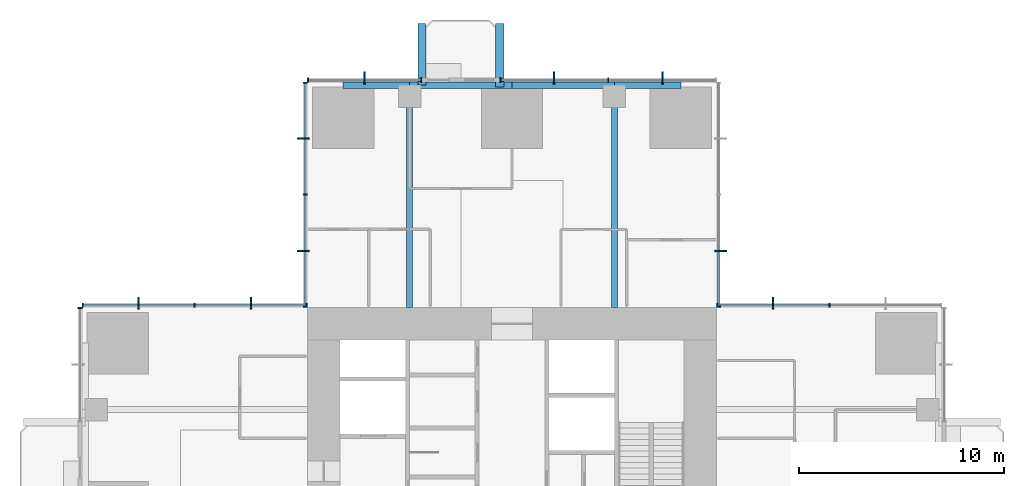
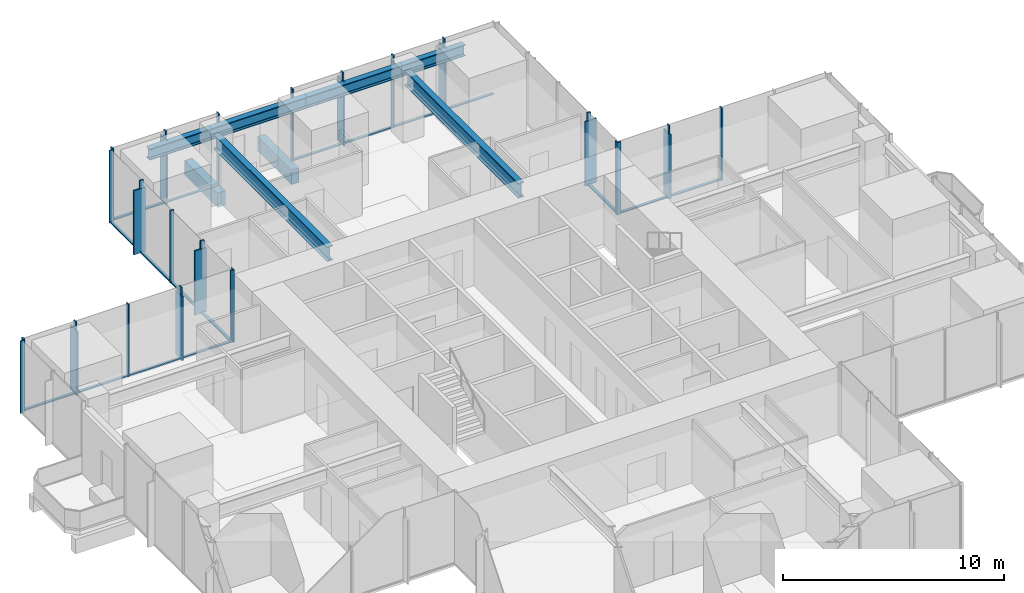
# One storey, part 5 of 13: 49 members, 8 beams, 7 elements without a shape of their own.
"""IFC4 building model written with IfcOpenShell, lengths in metres."""

from ifc_helpers import new_model, si_unit, direction, frame, origin, origin_2d, place, context, subcontext, project, spatial, rectangle, i_section, extrude, material, material_profile, profile_set, type_object, element, aggregate, save


model = new_model("IFC4")

# Units and contexts
model_context = context("Model", 3, precision=1e-05, world=origin(), true_north=direction((0.0, 1.0)))
body_context = subcontext(model_context, "Body", "Model", "MODEL_VIEW")
ifc_project = project(units=[si_unit("LENGTHUNIT", "METRE"), si_unit("AREAUNIT", "SQUARE_METRE"), si_unit("VOLUMEUNIT", "CUBIC_METRE"), si_unit("PLANEANGLEUNIT", "RADIAN"), si_unit("MASSUNIT", "GRAM", prefix="KILO")], contexts=[model_context])

# Site, building, storey
site_placement = place(None, origin())
site = spatial("IfcSite", under=ifc_project, at=site_placement, CompositionType="ELEMENT")
building_placement = place(site_placement, origin())
building = spatial("IfcBuilding", under=site, at=building_placement, Name="Svetlomir Tower", CompositionType="ELEMENT")
storey_placement = place(building_placement, frame((0.0, 0.0, 156.5)))
storey = spatial("IfcBuildingStorey", under=building, at=storey_placement, Name="L37", CompositionType="ELEMENT", Elevation=156.5)

# Beams
ifc_material_1 = material(Name="Concrete C60/75", Category="concrete")
ifc_material_profile_1 = material_profile(ifc_material_1, rectangle(XDim=0.39990234375, YDim=0.800048828125, at=origin_2d()), Name="RC 400x800")
ifc_profile_set_1 = profile_set([ifc_material_profile_1], Name="Concrete C60/75")
beam_type_1 = type_object("IfcBeamType", Name="BALCONY RIB RC 400x800", PredefinedType="BEAM", material=ifc_profile_set_1)
beam_1_placement = place(storey_placement, frame((16.60009765625, 41.85009765625, -0.64990234375), z_axis=(0.0, 1.0, 0.0), x_axis=(-1.0, 0.0, 0.0)))
element("IfcBeam", 1, at=beam_1_placement, inside=storey, type_object=beam_type_1, Name="Balcony rib N 1 L37", PredefinedType="BEAM", context=body_context, shape_type="SweptSolid", body=[
    extrude(rectangle(XDim=0.39990234375, YDim=0.800048828125, at=origin_2d()), origin(), (0.0, 0.0, 1.0), 3.0),
])
beam_2_placement = place(storey_placement, frame((20.39990234375, 41.75, -0.64990234375), z_axis=(0.0, 1.0, 0.0), x_axis=(-1.0, 0.0, 0.0)))
element("IfcBeam", 2, at=beam_2_placement, inside=storey, type_object=beam_type_1, Name="Balcony rib N 2 L37", PredefinedType="BEAM", context=body_context, shape_type="SweptSolid", body=[
    extrude(rectangle(XDim=0.39990234375, YDim=0.800048828125, at=origin_2d()), origin(), (0.0, 0.0, 1.0), 3.10009765625),
])

# Curtain wall, member
ifc_material_2 = material(Name="Bronze anodised aluminium curtain wall", Category="aluminium")
curtain_wall_type = type_object("IfcCurtainWallType", Name="CURTAIN WALL CW1 TOWER OFFICE", PredefinedType="NOTDEFINED", material=ifc_material_2)
curtain_wall_1_placement = place(storey_placement, origin())
curtain_wall_1 = element("IfcCurtainWall", 3, at=curtain_wall_1_placement, inside=storey, type_object=curtain_wall_type, Name="Curtain wall CW1 L37", PredefinedType="NOTDEFINED")
ifc_material_3 = material(Name="Bronze anodised aluminium", Category="aluminium")
ifc_material_profile_2 = material_profile(ifc_material_3, rectangle(XDim=0.080078125, YDim=0.60009765625, at=origin_2d()), Name="FIN 80x600")
ifc_profile_set_2 = profile_set([ifc_material_profile_2], Name="Bronze anodised aluminium 6063-T6")
member_type_1 = type_object("IfcMemberType", Name="BRONZE FIN 80x600", PredefinedType="USERDEFINED", material=ifc_profile_set_2)
member_1_placement = place(storey_placement, frame((33.75, 31.199951171875, 0.0), z_axis=(0.0, 0.0, 1.0), x_axis=(1.0, 0.0, 0.0)))
member_1 = element("IfcMember", 4, at=member_1_placement, type_object=member_type_1, Name="Bronze fin L37", ObjectType="FIN", PredefinedType="USERDEFINED", context=body_context, shape_type="SweptSolid", body=[
    extrude(rectangle(XDim=0.080078125, YDim=0.60009765625, at=origin_2d()), origin(), (0.0, 0.0, 1.0), 3.550048828125),
])

curtain_wall_2_placement = place(storey_placement, origin())
curtain_wall_2 = element("IfcCurtainWall", 5, at=curtain_wall_2_placement, inside=storey, type_object=curtain_wall_type, Name="Curtain wall CW1 L37", PredefinedType="NOTDEFINED")
member_2_placement = place(storey_placement, frame((31.199951171875, 33.75, 0.0), z_axis=(0.0, 0.0, 1.0), x_axis=(0.0, 1.0, 0.0)))
member_2 = element("IfcMember", 6, at=member_2_placement, type_object=member_type_1, Name="Bronze fin L37", ObjectType="FIN", PredefinedType="USERDEFINED", context=body_context, shape_type="SweptSolid", body=[
    extrude(rectangle(XDim=0.080078125, YDim=0.60009765625, at=origin_2d()), origin(), (0.0, 0.0, 1.0), 3.550048828125),
])

# Curtain wall, members
curtain_wall_3_placement = place(storey_placement, origin())
curtain_wall_3 = element("IfcCurtainWall", 7, at=curtain_wall_3_placement, inside=storey, type_object=curtain_wall_type, Name="Curtain wall CW1 L37", PredefinedType="NOTDEFINED")
member_3_placement = place(storey_placement, frame((28.35009765625, 42.199951171875, 0.0), z_axis=(0.0, 0.0, 1.0), x_axis=(1.0, 0.0, 0.0)))
member_3 = element("IfcMember", 8, at=member_3_placement, type_object=member_type_1, Name="Bronze fin L37", ObjectType="FIN", PredefinedType="USERDEFINED", context=body_context, shape_type="SweptSolid", body=[
    extrude(rectangle(XDim=0.080078125, YDim=0.60009765625, at=origin_2d()), origin(), (0.0, 0.0, 1.0), 3.550048828125),
])
member_4_placement = place(storey_placement, frame((23.050048828125, 42.199951171875, 0.0), z_axis=(0.0, 0.0, 1.0), x_axis=(1.0, 0.0, 0.0)))
member_4 = element("IfcMember", 9, at=member_4_placement, type_object=member_type_1, Name="Bronze fin L37", ObjectType="FIN", PredefinedType="USERDEFINED", context=body_context, shape_type="SweptSolid", body=[
    extrude(rectangle(XDim=0.080078125, YDim=0.60009765625, at=origin_2d()), origin(), (0.0, 0.0, 1.0), 3.550048828125),
])

# Curtain wall, member
curtain_wall_4_placement = place(storey_placement, origin())
curtain_wall_4 = element("IfcCurtainWall", 10, at=curtain_wall_4_placement, inside=storey, type_object=curtain_wall_type, Name="Curtain wall CW1 L37", PredefinedType="NOTDEFINED")
member_5_placement = place(storey_placement, frame((13.800048828125, 42.199951171875, 0.0), z_axis=(0.0, 0.0, 1.0), x_axis=(1.0, 0.0, 0.0)))
member_5 = element("IfcMember", 11, at=member_5_placement, type_object=member_type_1, Name="Bronze fin L37", ObjectType="FIN", PredefinedType="USERDEFINED", context=body_context, shape_type="SweptSolid", body=[
    extrude(rectangle(XDim=0.080078125, YDim=0.60009765625, at=origin_2d()), origin(), (0.0, 0.0, 1.0), 3.550048828125),
])

# Curtain wall, members
curtain_wall_5_placement = place(storey_placement, origin())
curtain_wall_5 = element("IfcCurtainWall", 12, at=curtain_wall_5_placement, inside=storey, type_object=curtain_wall_type, Name="Curtain wall CW1 L37", PredefinedType="NOTDEFINED")
member_6_placement = place(storey_placement, frame((10.800048828125, 39.25, 0.0), z_axis=(0.0, 0.0, 1.0), x_axis=(0.0, 1.0, 0.0)))
member_6 = element("IfcMember", 13, at=member_6_placement, type_object=member_type_1, Name="Bronze fin L37", ObjectType="FIN", PredefinedType="USERDEFINED", context=body_context, shape_type="SweptSolid", body=[
    extrude(rectangle(XDim=0.080078125, YDim=0.60009765625, at=origin_2d()), origin(), (0.0, 0.0, 1.0), 3.550048828125),
])
member_7_placement = place(storey_placement, frame((10.800048828125, 33.75, 0.0), z_axis=(0.0, 0.0, 1.0), x_axis=(0.0, 1.0, 0.0)))
member_7 = element("IfcMember", 14, at=member_7_placement, type_object=member_type_1, Name="Bronze fin L37", ObjectType="FIN", PredefinedType="USERDEFINED", context=body_context, shape_type="SweptSolid", body=[
    extrude(rectangle(XDim=0.080078125, YDim=0.60009765625, at=origin_2d()), origin(), (0.0, 0.0, 1.0), 3.550048828125),
])

curtain_wall_6_placement = place(storey_placement, origin())
curtain_wall_6 = element("IfcCurtainWall", 15, at=curtain_wall_6_placement, inside=storey, type_object=curtain_wall_type, Name="Curtain wall CW1 L37", PredefinedType="NOTDEFINED")
member_8_placement = place(storey_placement, frame((8.25, 31.199951171875, 0.0), z_axis=(0.0, 0.0, 1.0), x_axis=(1.0, 0.0, 0.0)))
member_8 = element("IfcMember", 16, at=member_8_placement, type_object=member_type_1, Name="Bronze fin L37", ObjectType="FIN", PredefinedType="USERDEFINED", context=body_context, shape_type="SweptSolid", body=[
    extrude(rectangle(XDim=0.080078125, YDim=0.60009765625, at=origin_2d()), origin(), (0.0, 0.0, 1.0), 3.550048828125),
])
member_9_placement = place(storey_placement, frame((2.75, 31.199951171875, 0.0), z_axis=(0.0, 0.0, 1.0), x_axis=(1.0, 0.0, 0.0)))
member_9 = element("IfcMember", 17, at=member_9_placement, type_object=member_type_1, Name="Bronze fin L37", ObjectType="FIN", PredefinedType="USERDEFINED", context=body_context, shape_type="SweptSolid", body=[
    extrude(rectangle(XDim=0.080078125, YDim=0.60009765625, at=origin_2d()), origin(), (0.0, 0.0, 1.0), 3.550048828125),
])

# Member
ifc_material_4 = material(Name="Bronze anodised aluminium", Category="aluminium")
ifc_material_profile_3 = material_profile(ifc_material_4, rectangle(XDim=0.06494140625, YDim=0.199951171875, at=origin_2d()), Name="AL 65x200")
ifc_profile_set_3 = profile_set([ifc_material_profile_3], Name="Bronze anodised aluminium 6063-T6")
member_type_2 = type_object("IfcMemberType", Name="CW1 MULLION 65x200", PredefinedType="MULLION", material=ifc_profile_set_3)
member_10_placement = place(storey_placement, frame((36.5, 31.10009765625, 0.0), z_axis=(0.0, 0.0, 1.0), x_axis=(-1.0, 0.0, 0.0)))
member_10 = element("IfcMember", 18, at=member_10_placement, type_object=member_type_2, Name="CW1 mullion 3", PredefinedType="MULLION", context=body_context, shape_type="SweptSolid", body=[
    extrude(rectangle(XDim=0.06494140625, YDim=0.199951171875, at=origin_2d()), origin(), (0.0, 0.0, 1.0), 4.0),
])

member_11_placement = place(storey_placement, frame((33.75, 31.10009765625, 0.0), z_axis=(0.0, 0.0, 1.0), x_axis=(-1.0, 0.0, 0.0)))
member_11 = element("IfcMember", 19, at=member_11_placement, type_object=member_type_2, Name="CW1 mullion 4", PredefinedType="MULLION", context=body_context, shape_type="SweptSolid", body=[
    extrude(rectangle(XDim=0.06494140625, YDim=0.199951171875, at=origin_2d()), origin(), (0.0, 0.0, 1.0), 4.0),
])

member_12_placement = place(storey_placement, frame((31.032470703125, 31.10009765625, 0.0), z_axis=(0.0, 0.0, 1.0), x_axis=(-1.0, 0.0, 0.0)))
member_12 = element("IfcMember", 20, at=member_12_placement, type_object=member_type_2, Name="CW1 mullion 5", PredefinedType="MULLION", context=body_context, shape_type="SweptSolid", body=[
    extrude(rectangle(XDim=0.06494140625, YDim=0.199951171875, at=origin_2d()), origin(), (0.0, 0.0, 1.0), 4.0),
])

member_13_placement = place(storey_placement, frame((31.10009765625, 31.032470703125, 0.0), z_axis=(0.0, 0.0, 1.0), x_axis=(0.0, 1.0, 0.0)))
member_13 = element("IfcMember", 21, at=member_13_placement, type_object=member_type_2, Name="CW1 mullion 1", PredefinedType="MULLION", context=body_context, shape_type="SweptSolid", body=[
    extrude(rectangle(XDim=0.06494140625, YDim=0.199951171875, at=origin_2d()), origin(), (0.0, 0.0, 1.0), 4.0),
])

member_14_placement = place(storey_placement, frame((31.10009765625, 33.75, 0.0), z_axis=(0.0, 0.0, 1.0), x_axis=(0.0, 1.0, 0.0)))
member_14 = element("IfcMember", 22, at=member_14_placement, type_object=member_type_2, Name="CW1 mullion 2", PredefinedType="MULLION", context=body_context, shape_type="SweptSolid", body=[
    extrude(rectangle(XDim=0.06494140625, YDim=0.199951171875, at=origin_2d()), origin(), (0.0, 0.0, 1.0), 4.0),
])

member_15_placement = place(storey_placement, frame((28.35009765625, 42.10009765625, 0.0), z_axis=(0.0, 0.0, 1.0), x_axis=(-1.0, 0.0, 0.0)))
member_15 = element("IfcMember", 23, at=member_15_placement, type_object=member_type_2, Name="CW1 mullion 2", PredefinedType="MULLION", context=body_context, shape_type="SweptSolid", body=[
    extrude(rectangle(XDim=0.06494140625, YDim=0.199951171875, at=origin_2d()), origin(), (0.0, 0.0, 1.0), 4.0),
])

member_16_placement = place(storey_placement, frame((25.699951171875, 42.10009765625, 0.0), z_axis=(0.0, 0.0, 1.0), x_axis=(-1.0, 0.0, 0.0)))
member_16 = element("IfcMember", 24, at=member_16_placement, type_object=member_type_2, Name="CW1 mullion 3", PredefinedType="MULLION", context=body_context, shape_type="SweptSolid", body=[
    extrude(rectangle(XDim=0.06494140625, YDim=0.199951171875, at=origin_2d()), origin(), (0.0, 0.0, 1.0), 4.0),
])

member_17_placement = place(storey_placement, frame((23.050048828125, 42.10009765625, 0.0), z_axis=(0.0, 0.0, 1.0), x_axis=(-1.0, 0.0, 0.0)))
member_17 = element("IfcMember", 25, at=member_17_placement, type_object=member_type_2, Name="CW1 mullion 4", PredefinedType="MULLION", context=body_context, shape_type="SweptSolid", body=[
    extrude(rectangle(XDim=0.06494140625, YDim=0.199951171875, at=origin_2d()), origin(), (0.0, 0.0, 1.0), 4.0),
])

member_18_placement = place(storey_placement, frame((20.4326171875, 42.10009765625, 0.0), z_axis=(0.0, 0.0, 1.0), x_axis=(-1.0, 0.0, 0.0)))
member_18 = element("IfcMember", 26, at=member_18_placement, type_object=member_type_2, Name="CW1 mullion 5", PredefinedType="MULLION", context=body_context, shape_type="SweptSolid", body=[
    extrude(rectangle(XDim=0.06494140625, YDim=0.199951171875, at=origin_2d()), origin(), (0.0, 0.0, 1.0), 4.0),
])

member_19_placement = place(storey_placement, frame((16.5673828125, 42.10009765625, 0.0), z_axis=(0.0, 0.0, 1.0), x_axis=(-1.0, 0.0, 0.0)))
member_19 = element("IfcMember", 27, at=member_19_placement, type_object=member_type_2, Name="CW1 mullion 1", PredefinedType="MULLION", context=body_context, shape_type="SweptSolid", body=[
    extrude(rectangle(XDim=0.06494140625, YDim=0.199951171875, at=origin_2d()), origin(), (0.0, 0.0, 1.0), 4.0),
])

member_20_placement = place(storey_placement, frame((13.800048828125, 42.10009765625, 0.0), z_axis=(0.0, 0.0, 1.0), x_axis=(-1.0, 0.0, 0.0)))
member_20 = element("IfcMember", 28, at=member_20_placement, type_object=member_type_2, Name="CW1 mullion 2", PredefinedType="MULLION", context=body_context, shape_type="SweptSolid", body=[
    extrude(rectangle(XDim=0.06494140625, YDim=0.199951171875, at=origin_2d()), origin(), (0.0, 0.0, 1.0), 4.0),
])

member_21_placement = place(storey_placement, frame((11.032470703125, 42.10009765625, 0.0), z_axis=(0.0, 0.0, 1.0), x_axis=(-1.0, 0.0, 0.0)))
member_21 = element("IfcMember", 29, at=member_21_placement, type_object=member_type_2, Name="CW1 mullion 3", PredefinedType="MULLION", context=body_context, shape_type="SweptSolid", body=[
    extrude(rectangle(XDim=0.06494140625, YDim=0.199951171875, at=origin_2d()), origin(), (0.0, 0.0, 1.0), 4.0),
])

member_22_placement = place(storey_placement, frame((10.89990234375, 41.967529296875, 0.0), z_axis=(0.0, 0.0, 1.0), x_axis=(0.0, -1.0, 0.0)))
member_22 = element("IfcMember", 30, at=member_22_placement, type_object=member_type_2, Name="CW1 mullion 1", PredefinedType="MULLION", context=body_context, shape_type="SweptSolid", body=[
    extrude(rectangle(XDim=0.06494140625, YDim=0.199951171875, at=origin_2d()), origin(), (0.0, 0.0, 1.0), 4.0),
])

member_23_placement = place(storey_placement, frame((10.89990234375, 39.25, 0.0), z_axis=(0.0, 0.0, 1.0), x_axis=(0.0, -1.0, 0.0)))
member_23 = element("IfcMember", 31, at=member_23_placement, type_object=member_type_2, Name="CW1 mullion 2", PredefinedType="MULLION", context=body_context, shape_type="SweptSolid", body=[
    extrude(rectangle(XDim=0.06494140625, YDim=0.199951171875, at=origin_2d()), origin(), (0.0, 0.0, 1.0), 4.0),
])

member_24_placement = place(storey_placement, frame((10.89990234375, 36.5, 0.0), z_axis=(0.0, 0.0, 1.0), x_axis=(0.0, -1.0, 0.0)))
member_24 = element("IfcMember", 32, at=member_24_placement, type_object=member_type_2, Name="CW1 mullion 3", PredefinedType="MULLION", context=body_context, shape_type="SweptSolid", body=[
    extrude(rectangle(XDim=0.06494140625, YDim=0.199951171875, at=origin_2d()), origin(), (0.0, 0.0, 1.0), 4.0),
])

member_25_placement = place(storey_placement, frame((10.89990234375, 33.75, 0.0), z_axis=(0.0, 0.0, 1.0), x_axis=(0.0, -1.0, 0.0)))
member_25 = element("IfcMember", 33, at=member_25_placement, type_object=member_type_2, Name="CW1 mullion 4", PredefinedType="MULLION", context=body_context, shape_type="SweptSolid", body=[
    extrude(rectangle(XDim=0.06494140625, YDim=0.199951171875, at=origin_2d()), origin(), (0.0, 0.0, 1.0), 4.0),
])

member_26_placement = place(storey_placement, frame((10.89990234375, 31.032470703125, 0.0), z_axis=(0.0, 0.0, 1.0), x_axis=(0.0, -1.0, 0.0)))
member_26 = element("IfcMember", 34, at=member_26_placement, type_object=member_type_2, Name="CW1 mullion 5", PredefinedType="MULLION", context=body_context, shape_type="SweptSolid", body=[
    extrude(rectangle(XDim=0.06494140625, YDim=0.199951171875, at=origin_2d()), origin(), (0.0, 0.0, 1.0), 4.0),
])

member_27_placement = place(storey_placement, frame((10.967529296875, 31.10009765625, 0.0), z_axis=(0.0, 0.0, 1.0), x_axis=(-1.0, 0.0, 0.0)))
member_27 = element("IfcMember", 35, at=member_27_placement, type_object=member_type_2, Name="CW1 mullion 1", PredefinedType="MULLION", context=body_context, shape_type="SweptSolid", body=[
    extrude(rectangle(XDim=0.06494140625, YDim=0.199951171875, at=origin_2d()), origin(), (0.0, 0.0, 1.0), 4.0),
])

member_28_placement = place(storey_placement, frame((8.25, 31.10009765625, 0.0), z_axis=(0.0, 0.0, 1.0), x_axis=(-1.0, 0.0, 0.0)))
member_28 = element("IfcMember", 36, at=member_28_placement, type_object=member_type_2, Name="CW1 mullion 2", PredefinedType="MULLION", context=body_context, shape_type="SweptSolid", body=[
    extrude(rectangle(XDim=0.06494140625, YDim=0.199951171875, at=origin_2d()), origin(), (0.0, 0.0, 1.0), 4.0),
])

member_29_placement = place(storey_placement, frame((5.5, 31.10009765625, 0.0), z_axis=(0.0, 0.0, 1.0), x_axis=(-1.0, 0.0, 0.0)))
member_29 = element("IfcMember", 37, at=member_29_placement, type_object=member_type_2, Name="CW1 mullion 3", PredefinedType="MULLION", context=body_context, shape_type="SweptSolid", body=[
    extrude(rectangle(XDim=0.06494140625, YDim=0.199951171875, at=origin_2d()), origin(), (0.0, 0.0, 1.0), 4.0),
])

member_30_placement = place(storey_placement, frame((2.75, 31.10009765625, 0.0), z_axis=(0.0, 0.0, 1.0), x_axis=(-1.0, 0.0, 0.0)))
member_30 = element("IfcMember", 38, at=member_30_placement, type_object=member_type_2, Name="CW1 mullion 4", PredefinedType="MULLION", context=body_context, shape_type="SweptSolid", body=[
    extrude(rectangle(XDim=0.06494140625, YDim=0.199951171875, at=origin_2d()), origin(), (0.0, 0.0, 1.0), 4.0),
])

member_31_placement = place(storey_placement, frame((0.032470703125, 31.10009765625, 0.0), z_axis=(0.0, 0.0, 1.0), x_axis=(-1.0, 0.0, 0.0)))
member_31 = element("IfcMember", 39, at=member_31_placement, type_object=member_type_2, Name="CW1 mullion 5", PredefinedType="MULLION", context=body_context, shape_type="SweptSolid", body=[
    extrude(rectangle(XDim=0.06494140625, YDim=0.199951171875, at=origin_2d()), origin(), (0.0, 0.0, 1.0), 4.0),
])

# Curtain wall, member
curtain_wall_7_placement = place(storey_placement, origin())
curtain_wall_7 = element("IfcCurtainWall", 40, at=curtain_wall_7_placement, inside=storey, type_object=curtain_wall_type, Name="Curtain wall CW1 L37", PredefinedType="NOTDEFINED")
member_32_placement = place(storey_placement, frame((-0.10009765625, 30.967529296875, 0.0), z_axis=(0.0, 0.0, 1.0), x_axis=(0.0, -1.0, 0.0)))
member_32 = element("IfcMember", 41, at=member_32_placement, type_object=member_type_2, Name="CW1 mullion 1", PredefinedType="MULLION", context=body_context, shape_type="SweptSolid", body=[
    extrude(rectangle(XDim=0.06494140625, YDim=0.199951171875, at=origin_2d()), origin(), (0.0, 0.0, 1.0), 4.0),
])
aggregate(curtain_wall_7, [member_32])

# Member
ifc_material_5 = material(Name="Bronze anodised aluminium", Category="aluminium")
ifc_material_profile_4 = material_profile(ifc_material_5, rectangle(XDim=0.139892578125, YDim=0.06494140625, at=origin_2d()), Name="AL 140x65")
ifc_profile_set_4 = profile_set([ifc_material_profile_4], Name="Bronze anodised aluminium 6063-T6")
member_type_3 = type_object("IfcMemberType", Name="CW1 TRANSOM 65x140", PredefinedType="USERDEFINED", material=ifc_profile_set_4)
member_33_placement = place(storey_placement, frame((36.467529296875, 31.10009765625, 0.032470703125), z_axis=(-1.0, 0.0, 0.0), x_axis=(0.0, -1.0, 0.0)))
member_33 = element("IfcMember", 42, at=member_33_placement, type_object=member_type_3, Name="CW1 transom 3.1", ObjectType="TRANSOM", PredefinedType="USERDEFINED", context=body_context, shape_type="SweptSolid", body=[
    extrude(rectangle(XDim=0.139892578125, YDim=0.06494140625, at=origin_2d()), origin(), (0.0, 0.0, 1.0), 2.68505859375),
])

member_34_placement = place(storey_placement, frame((33.717529296875, 31.10009765625, 0.032470703125), z_axis=(-1.0, 0.0, 0.0), x_axis=(0.0, -1.0, 0.0)))
member_34 = element("IfcMember", 43, at=member_34_placement, type_object=member_type_3, Name="CW1 transom 4.1", ObjectType="TRANSOM", PredefinedType="USERDEFINED", context=body_context, shape_type="SweptSolid", body=[
    extrude(rectangle(XDim=0.139892578125, YDim=0.06494140625, at=origin_2d()), origin(), (0.0, 0.0, 1.0), 2.652587890625),
])

aggregate(curtain_wall_1, [member_10, member_11, member_12, member_33, member_34, member_1])

member_35_placement = place(storey_placement, frame((31.10009765625, 31.06494140625, 0.032470703125), z_axis=(0.0, 1.0, 0.0), x_axis=(-1.0, 0.0, 0.0)))
member_35 = element("IfcMember", 44, at=member_35_placement, type_object=member_type_3, Name="CW1 transom 1.1", ObjectType="TRANSOM", PredefinedType="USERDEFINED", context=body_context, shape_type="SweptSolid", body=[
    extrude(rectangle(XDim=0.139892578125, YDim=0.06494140625, at=origin_2d()), origin(), (0.0, 0.0, 1.0), 2.652587890625),
])

aggregate(curtain_wall_2, [member_13, member_14, member_35, member_2])

member_36_placement = place(storey_placement, frame((30.93505859375, 42.10009765625, 0.032470703125), z_axis=(-1.0, 0.0, 0.0), x_axis=(0.0, -1.0, 0.0)))
member_36 = element("IfcMember", 45, at=member_36_placement, type_object=member_type_3, Name="CW1 transom 1.1", ObjectType="TRANSOM", PredefinedType="USERDEFINED", context=body_context, shape_type="SweptSolid", body=[
    extrude(rectangle(XDim=0.139892578125, YDim=0.06494140625, at=origin_2d()), origin(), (0.0, 0.0, 1.0), 2.552490234375),
])

member_37_placement = place(storey_placement, frame((28.3173828125, 42.10009765625, 0.032470703125), z_axis=(-1.0, 0.0, 0.0), x_axis=(0.0, -1.0, 0.0)))
member_37 = element("IfcMember", 46, at=member_37_placement, type_object=member_type_3, Name="CW1 transom 2.1", ObjectType="TRANSOM", PredefinedType="USERDEFINED", context=body_context, shape_type="SweptSolid", body=[
    extrude(rectangle(XDim=0.139892578125, YDim=0.06494140625, at=origin_2d()), origin(), (0.0, 0.0, 1.0), 2.5849609375),
])

member_38_placement = place(storey_placement, frame((25.66748046875, 42.10009765625, 0.032470703125), z_axis=(-1.0, 0.0, 0.0), x_axis=(0.0, -1.0, 0.0)))
member_38 = element("IfcMember", 47, at=member_38_placement, type_object=member_type_3, Name="CW1 transom 3.1", ObjectType="TRANSOM", PredefinedType="USERDEFINED", context=body_context, shape_type="SweptSolid", body=[
    extrude(rectangle(XDim=0.139892578125, YDim=0.06494140625, at=origin_2d()), origin(), (0.0, 0.0, 1.0), 2.5849609375),
])

member_39_placement = place(storey_placement, frame((23.017578125, 42.10009765625, 0.032470703125), z_axis=(-1.0, 0.0, 0.0), x_axis=(0.0, -1.0, 0.0)))
member_39 = element("IfcMember", 48, at=member_39_placement, type_object=member_type_3, Name="CW1 transom 4.1", ObjectType="TRANSOM", PredefinedType="USERDEFINED", context=body_context, shape_type="SweptSolid", body=[
    extrude(rectangle(XDim=0.139892578125, YDim=0.06494140625, at=origin_2d()), origin(), (0.0, 0.0, 1.0), 2.552490234375),
])

aggregate(curtain_wall_3, [member_15, member_16, member_17, member_18, member_36, member_37, member_38, member_39, member_3, member_4])

member_40_placement = place(storey_placement, frame((16.534912109375, 42.10009765625, 0.032470703125), z_axis=(-1.0, 0.0, 0.0), x_axis=(0.0, -1.0, 0.0)))
member_40 = element("IfcMember", 49, at=member_40_placement, type_object=member_type_3, Name="CW1 transom 1.1", ObjectType="TRANSOM", PredefinedType="USERDEFINED", context=body_context, shape_type="SweptSolid", body=[
    extrude(rectangle(XDim=0.139892578125, YDim=0.06494140625, at=origin_2d()), origin(), (0.0, 0.0, 1.0), 2.702392578125),
])

member_41_placement = place(storey_placement, frame((13.767578125, 42.10009765625, 0.032470703125), z_axis=(-1.0, 0.0, 0.0), x_axis=(0.0, -1.0, 0.0)))
member_41 = element("IfcMember", 50, at=member_41_placement, type_object=member_type_3, Name="CW1 transom 2.1", ObjectType="TRANSOM", PredefinedType="USERDEFINED", context=body_context, shape_type="SweptSolid", body=[
    extrude(rectangle(XDim=0.139892578125, YDim=0.06494140625, at=origin_2d()), origin(), (0.0, 0.0, 1.0), 2.70263671875),
])

aggregate(curtain_wall_4, [member_19, member_20, member_21, member_40, member_41, member_5])

member_42_placement = place(storey_placement, frame((10.89990234375, 41.93505859375, 0.032470703125), z_axis=(0.0, -1.0, 0.0), x_axis=(1.0, 0.0, 0.0)))
member_42 = element("IfcMember", 51, at=member_42_placement, type_object=member_type_3, Name="CW1 transom 1.1", ObjectType="TRANSOM", PredefinedType="USERDEFINED", context=body_context, shape_type="SweptSolid", body=[
    extrude(rectangle(XDim=0.139892578125, YDim=0.06494140625, at=origin_2d()), origin(), (0.0, 0.0, 1.0), 2.652587890625),
])

member_43_placement = place(storey_placement, frame((10.89990234375, 39.217529296875, 0.032470703125), z_axis=(0.0, -1.0, 0.0), x_axis=(1.0, 0.0, 0.0)))
member_43 = element("IfcMember", 52, at=member_43_placement, type_object=member_type_3, Name="CW1 transom 2.1", ObjectType="TRANSOM", PredefinedType="USERDEFINED", context=body_context, shape_type="SweptSolid", body=[
    extrude(rectangle(XDim=0.139892578125, YDim=0.06494140625, at=origin_2d()), origin(), (0.0, 0.0, 1.0), 2.68505859375),
])

member_44_placement = place(storey_placement, frame((10.89990234375, 36.467529296875, 0.032470703125), z_axis=(0.0, -1.0, 0.0), x_axis=(1.0, 0.0, 0.0)))
member_44 = element("IfcMember", 53, at=member_44_placement, type_object=member_type_3, Name="CW1 transom 3.1", ObjectType="TRANSOM", PredefinedType="USERDEFINED", context=body_context, shape_type="SweptSolid", body=[
    extrude(rectangle(XDim=0.139892578125, YDim=0.06494140625, at=origin_2d()), origin(), (0.0, 0.0, 1.0), 2.68505859375),
])

member_45_placement = place(storey_placement, frame((10.89990234375, 33.717529296875, 0.032470703125), z_axis=(0.0, -1.0, 0.0), x_axis=(1.0, 0.0, 0.0)))
member_45 = element("IfcMember", 54, at=member_45_placement, type_object=member_type_3, Name="CW1 transom 4.1", ObjectType="TRANSOM", PredefinedType="USERDEFINED", context=body_context, shape_type="SweptSolid", body=[
    extrude(rectangle(XDim=0.139892578125, YDim=0.06494140625, at=origin_2d()), origin(), (0.0, 0.0, 1.0), 2.652587890625),
])

aggregate(curtain_wall_5, [member_22, member_23, member_24, member_25, member_26, member_42, member_43, member_44, member_45, member_6, member_7])

member_46_placement = place(storey_placement, frame((10.93505859375, 31.10009765625, 0.032470703125), z_axis=(-1.0, 0.0, 0.0), x_axis=(0.0, -1.0, 0.0)))
member_46 = element("IfcMember", 55, at=member_46_placement, type_object=member_type_3, Name="CW1 transom 1.1", ObjectType="TRANSOM", PredefinedType="USERDEFINED", context=body_context, shape_type="SweptSolid", body=[
    extrude(rectangle(XDim=0.139892578125, YDim=0.06494140625, at=origin_2d()), origin(), (0.0, 0.0, 1.0), 2.652587890625),
])

member_47_placement = place(storey_placement, frame((8.217529296875, 31.10009765625, 0.032470703125), z_axis=(-1.0, 0.0, 0.0), x_axis=(0.0, -1.0, 0.0)))
member_47 = element("IfcMember", 56, at=member_47_placement, type_object=member_type_3, Name="CW1 transom 2.1", ObjectType="TRANSOM", PredefinedType="USERDEFINED", context=body_context, shape_type="SweptSolid", body=[
    extrude(rectangle(XDim=0.139892578125, YDim=0.06494140625, at=origin_2d()), origin(), (0.0, 0.0, 1.0), 2.68505859375),
])

member_48_placement = place(storey_placement, frame((5.467529296875, 31.10009765625, 0.032470703125), z_axis=(-1.0, 0.0, 0.0), x_axis=(0.0, -1.0, 0.0)))
member_48 = element("IfcMember", 57, at=member_48_placement, type_object=member_type_3, Name="CW1 transom 3.1", ObjectType="TRANSOM", PredefinedType="USERDEFINED", context=body_context, shape_type="SweptSolid", body=[
    extrude(rectangle(XDim=0.139892578125, YDim=0.06494140625, at=origin_2d()), origin(), (0.0, 0.0, 1.0), 2.68505859375),
])

member_49_placement = place(storey_placement, frame((2.717529296875, 31.10009765625, 0.032470703125), z_axis=(-1.0, 0.0, 0.0), x_axis=(0.0, -1.0, 0.0)))
member_49 = element("IfcMember", 58, at=member_49_placement, type_object=member_type_3, Name="CW1 transom 4.1", ObjectType="TRANSOM", PredefinedType="USERDEFINED", context=body_context, shape_type="SweptSolid", body=[
    extrude(rectangle(XDim=0.139892578125, YDim=0.06494140625, at=origin_2d()), origin(), (0.0, 0.0, 1.0), 2.652587890625),
])

aggregate(curtain_wall_6, [member_27, member_28, member_29, member_30, member_31, member_46, member_47, member_48, member_49, member_8, member_9])

# Beams
ifc_material_6 = material(Name="Steel S355", Category="steel")
ifc_material_profile_5 = material_profile(ifc_material_6, i_section(OverallWidth=0.304931640625, OverallDepth=0.6201171875, WebThickness=0.02099609375, FlangeThickness=0.0400390625, FilletRadius=0.027099609375, at=origin_2d()), Name="HEM 600")
ifc_profile_set_5 = profile_set([ifc_material_profile_5], Name="Steel S355")
beam_type_2 = type_object("IfcBeamType", Name="EDGE BEAM HEM 600", PredefinedType="SPANDREL", material=ifc_profile_set_5)
beam_3_placement = place(storey_placement, frame((12.75, 41.847412109375, 3.239990234375), z_axis=(1.0, 0.0, 0.0), x_axis=(0.0, 1.0, 0.0)))
element("IfcBeam", 59, at=beam_3_placement, inside=storey, type_object=beam_type_2, Name="Edge beam 11/42 to 16/42 under L38", PredefinedType="SPANDREL", context=body_context, shape_type="SweptSolid", body=[
    extrude(i_section(OverallWidth=0.304931640625, OverallDepth=0.6201171875, WebThickness=0.02099609375, FlangeThickness=0.0400390625, FilletRadius=0.027099609375, at=origin_2d()), origin(), (0.0, 0.0, 1.0), 3.25),
])
for number, where, z_axis, x_axis, name in (
    (60, (16.0, 41.847412109375, 3.239990234375), (1.0, 0.0, 0.0), (0.0, 1.0, 0.0), "Edge beam 16/42 to 21/42 under L38"),
    (61, (21.0, 41.847412109375, 3.239990234375), (1.0, 0.0, 0.0), (0.0, 1.0, 0.0), "Edge beam 21/42 to 26/42 under L38"),
):
    element("IfcBeam", number, at=place(storey_placement, frame(where, z_axis=z_axis, x_axis=x_axis)), inside=storey, type_object=beam_type_2, Name=name, PredefinedType="SPANDREL", context=body_context, shape_type="SweptSolid", body=[
        extrude(i_section(OverallWidth=0.304931640625, OverallDepth=0.6201171875, WebThickness=0.02099609375, FlangeThickness=0.0400390625, FilletRadius=0.027099609375, at=origin_2d()), origin(), (0.0, 0.0, 1.0), 5.0),
    ])
beam_4_placement = place(storey_placement, frame((26.0, 41.847412109375, 3.239990234375), z_axis=(1.0, 0.0, 0.0), x_axis=(0.0, 1.0, 0.0)))
element("IfcBeam", 62, at=beam_4_placement, inside=storey, type_object=beam_type_2, Name="Edge beam 26/42 to 31/42 under L38", PredefinedType="SPANDREL", context=body_context, shape_type="SweptSolid", body=[
    extrude(i_section(OverallWidth=0.304931640625, OverallDepth=0.6201171875, WebThickness=0.02099609375, FlangeThickness=0.0400390625, FilletRadius=0.027099609375, at=origin_2d()), origin(), (0.0, 0.0, 1.0), 3.25),
])
ifc_material_7 = material(Name="Steel S355", Category="steel")
ifc_material_profile_6 = material_profile(ifc_material_7, i_section(OverallWidth=0.302978515625, OverallDepth=0.81396484375, WebThickness=0.02099609375, FlangeThickness=0.0400390625, FilletRadius=0.030029296875, at=origin_2d()), Name="HEM 800")
ifc_profile_set_6 = profile_set([ifc_material_profile_6], Name="Steel S355")
beam_type_3 = type_object("IfcBeamType", Name="PLANT FLOOR BEAM HEM 800", PredefinedType="BEAM", material=ifc_profile_set_6)
for number, where, z_axis, x_axis, name in (
    (63, (16.0, 41.300048828125, 3.14306640625), (0.0, -1.0, 0.0), (1.0, 0.0, 0.0), "Plant floor beam N 16 under L38"),
    (64, (26.0, 41.300048828125, 3.14306640625), (0.0, -1.0, 0.0), (1.0, 0.0, 0.0), "Plant floor beam N 26 under L38"),
):
    element("IfcBeam", number, at=place(storey_placement, frame(where, z_axis=z_axis, x_axis=x_axis)), inside=storey, type_object=beam_type_3, Name=name, PredefinedType="BEAM", context=body_context, shape_type="SweptSolid", body=[
        extrude(i_section(OverallWidth=0.302978515625, OverallDepth=0.81396484375, WebThickness=0.02099609375, FlangeThickness=0.0400390625, FilletRadius=0.030029296875, at=origin_2d()), origin(), (0.0, 0.0, 1.0), 10.300048828125),
    ])

save(model, "model.ifc")
